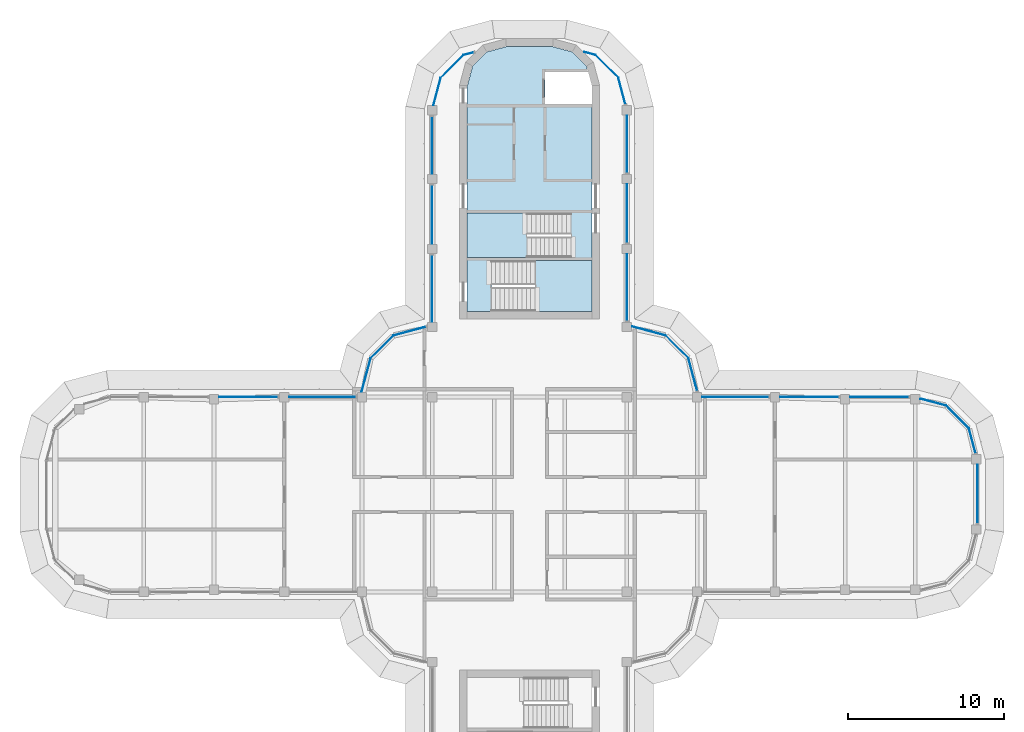
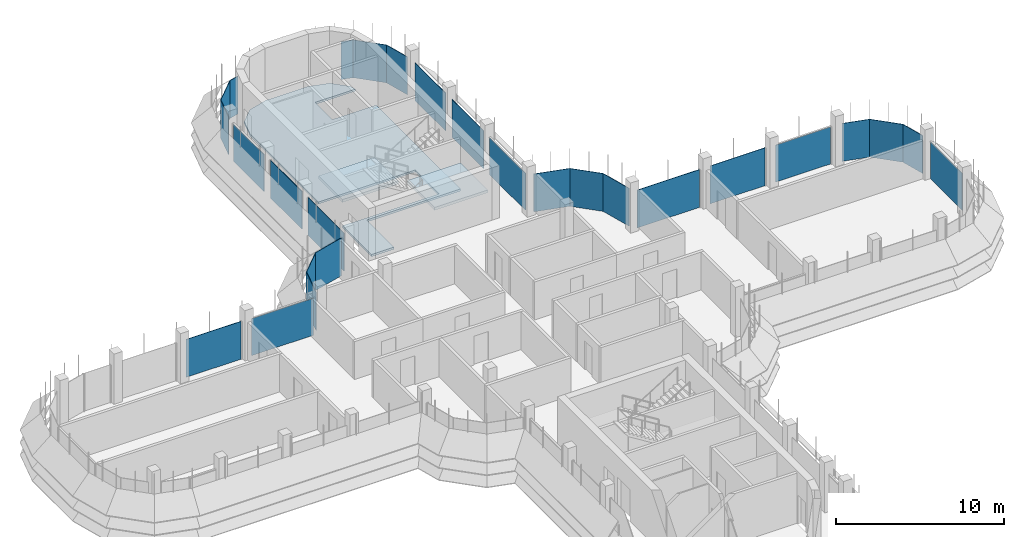
# One storey, part 12 of 19: 27 plates, 3 slabs, 22 elements without a shape of their own.
"""IFC4 building model written with IfcOpenShell, lengths in metres."""

from ifc_helpers import new_model, si_unit, direction, frame, origin, place, context, subcontext, project, spatial, polyline, outline, extrude, source, transform, mapped, material, layer, layer_set, type_object, element, aggregate, save


model = new_model("IFC4")

# Units and contexts
model_context = context("Model", 3, precision=1e-05, world=origin(), true_north=direction((0.0, 1.0)))
body_context = subcontext(model_context, "Body", "Model", "MODEL_VIEW")
ifc_project = project(units=[si_unit("LENGTHUNIT", "METRE"), si_unit("AREAUNIT", "SQUARE_METRE"), si_unit("VOLUMEUNIT", "CUBIC_METRE"), si_unit("PLANEANGLEUNIT", "RADIAN"), si_unit("MASSUNIT", "GRAM", prefix="KILO")], contexts=[model_context])

# Site, building, storey
site_placement = place(None, origin())
site = spatial("IfcSite", under=ifc_project, at=site_placement, CompositionType="ELEMENT")
building_placement = place(site_placement, origin())
building = spatial("IfcBuilding", under=site, at=building_placement, Name="Zarbagh Exchange Tower", CompositionType="ELEMENT")
storey_placement = place(building_placement, frame((0.0, 0.0, 268.800048828125)))
storey = spatial("IfcBuildingStorey", under=building, at=storey_placement, Name="L66", CompositionType="ELEMENT", Elevation=268.800048828125)

# Slab
ifc_material_1 = material(Name="Concrete C40/50", Category="concrete")
ifc_layer_1 = layer(ifc_material_1, 0.14990234375)
ifc_layer_set_1 = layer_set([ifc_layer_1], Name="Core floor slab 150 C40/50")
slab_type_1 = type_object("IfcSlabType", Name="Core floor slab 150 C40/50", PredefinedType="FLOOR", material=ifc_layer_set_1)
slab_1_placement = place(storey_placement, frame((0.0, 0.0, -0.150146484375)))
element("IfcSlab", 1, at=slab_1_placement, inside=storey, type_object=slab_type_1, Name="S17 core N", PredefinedType="FLOOR", context=body_context, shape_type="SweptSolid", body=[
    extrude(outline(polyline([(-4.0, 11.75), (-4.0, 15.199951171875), (2.64990234375, 15.199951171875), (2.64990234375, 18.050048828125), (-4.0, 18.050048828125), (-4.0, 26.18408203125), (-3.64990234375, 27.4912109375), (-2.7412109375, 28.39990234375), (-1.43408203125, 28.75), (1.43408203125, 28.75), (2.7412109375, 28.39990234375), (3.64990234375, 27.4912109375), (3.857666015625, 26.715087890625), (3.754638671875, 27.10009765625), (1.0, 27.10009765625), (1.0, 25.050048828125), (4.0, 25.050048828125), (4.0, 15.0), (-2.449951171875, 15.0), (-2.449951171875, 11.75), (-4.0, 11.75)])), origin(), (0.0, 0.0, 1.0), 0.150146484375),
])

# Stair, slab
stair_type = type_object("IfcStairType", Name="Exit stair two-flight half-turn", PredefinedType="HALF_TURN_STAIR", material=ifc_material_1)
stair_1_placement = place(storey_placement, origin())
stair_1 = element("IfcStair", 2, at=stair_1_placement, inside=storey, type_object=stair_type, Name="exit stair ST1", PredefinedType="HALF_TURN_STAIR")
ifc_layer_2 = layer(ifc_material_1, 0.199951171875)
ifc_layer_set_2 = layer_set([ifc_layer_2], Name="Stair landing 200 mm")
slab_type_2 = type_object("IfcSlabType", Name="Stair landing 200 mm", PredefinedType="LANDING", material=ifc_layer_set_2)
slab_2_placement = place(storey_placement, frame((0.0, 0.0, 1.699951171875)))
slab_2 = element("IfcSlab", 3, at=slab_2_placement, type_object=slab_type_2, Name="ST1 landing 1", PredefinedType="LANDING", context=body_context, shape_type="SweptSolid", body=[
    extrude(outline(polyline([(-0.14990234375, 18.050048828125), (-4.0, 18.050048828125), (-4.0, 15.199951171875), (-0.14990234375, 15.199951171875), (-0.14990234375, 18.050048828125)])), origin(), (0.0, 0.0, 1.0), 0.199951171875),
])
aggregate(stair_1, [slab_2])

stair_2_placement = place(storey_placement, origin())
stair_2 = element("IfcStair", 4, at=stair_2_placement, inside=storey, type_object=stair_type, Name="exit stair ST2", PredefinedType="HALF_TURN_STAIR")
slab_3_placement = place(storey_placement, frame((0.0, 0.0, 1.699951171875)))
slab_3 = element("IfcSlab", 5, at=slab_3_placement, type_object=slab_type_2, Name="ST2 landing 1", PredefinedType="LANDING", context=body_context, shape_type="SweptSolid", body=[
    extrude(outline(polyline([(0.35009765625, 11.75), (4.0, 11.75), (4.0, 15.0), (0.35009765625, 15.0), (0.35009765625, 11.75)])), origin(), (0.0, 0.0, 1.0), 0.199951171875),
])
aggregate(stair_2, [slab_3])

# Curtain wall, plate
ifc_material_2 = material(Name="Anodised aluminium frame and glazing", Category="aluminium")
curtain_wall_type = type_object("IfcCurtainWallType", Name="CWB Ribbon glazing, upper zones", PredefinedType="NOTDEFINED", material=ifc_material_2)
curtain_wall_1_placement = place(storey_placement, origin())
curtain_wall_1 = element("IfcCurtainWall", 6, at=curtain_wall_1_placement, inside=storey, type_object=curtain_wall_type, Name="CWB80 curtain wall", PredefinedType="NOTDEFINED")
ifc_material_3 = material(Name="Low-e double glazed unit, 6+12+6 mm")
ifc_layer_3 = layer(ifc_material_3, 0.031982421875)
ifc_layer_set_3 = layer_set([ifc_layer_3], Name="PAB Glazing panel, Low-e double glazed unit, 6+12+6 mm")
plate_type = type_object("IfcPlateType", Name="PAB Glazing panel, Low-e double glazed unit, 6+12+6 mm", PredefinedType="CURTAIN_PANEL", material=ifc_layer_set_3)
shared_shape_1 = source(origin(), body_context, "Body", "SweptSolid", [
    extrude(outline(polyline([(0.0, -0.01611328125), (2.061279296875, -0.01611328125), (2.061279296875, 0.01611328125), (0.0, 0.01611328125), (0.0, -0.01611328125)])), origin(), (0.0, 0.0, 1.0), 2.75),
])
placement = place(storey_placement, origin())
plate_1 = element("IfcPlate", 7, at=placement, type_object=plate_type, Name="CWB80 glazing panel 1.1", PredefinedType="CURTAIN_PANEL", context=body_context, shape_type="MappedRepresentation", body=[
    mapped(shared_shape_1, transform((28.19873046875, 4.2412109375, 0.0), x_axis=(-0.707106781187, 0.707106781187, 0.0), y_axis=(-0.707106781187, -0.707106781187, 0.0), z_axis=(0.0, 0.0, 1.0))),
])
aggregate(curtain_wall_1, [plate_1])

curtain_wall_2_placement = place(storey_placement, origin())
curtain_wall_2 = element("IfcCurtainWall", 8, at=curtain_wall_2_placement, inside=storey, type_object=curtain_wall_type, Name="CWB18 curtain wall", PredefinedType="NOTDEFINED")
plate_2 = element("IfcPlate", 9, at=placement, type_object=plate_type, Name="CWB18 glazing panel 1.1", PredefinedType="CURTAIN_PANEL", context=body_context, shape_type="MappedRepresentation", body=[
    mapped(shared_shape_1, transform((10.19873046875, 8.7412109375, 0.0), x_axis=(-0.707106781187, 0.707106781187, 0.0), y_axis=(-0.707106781187, -0.707106781187, 0.0), z_axis=(0.0, 0.0, 1.0))),
])
aggregate(curtain_wall_2, [plate_2])

curtain_wall_3_placement = place(storey_placement, origin())
curtain_wall_3 = element("IfcCurtainWall", 10, at=curtain_wall_3_placement, inside=storey, type_object=curtain_wall_type, Name="CWB74 curtain wall", PredefinedType="NOTDEFINED")
plate_3 = element("IfcPlate", 11, at=placement, type_object=plate_type, Name="CWB74 glazing panel 1.1", PredefinedType="CURTAIN_PANEL", context=body_context, shape_type="MappedRepresentation", body=[
    mapped(shared_shape_1, transform((5.69873046875, 26.7412109375, 0.0), x_axis=(-0.707106781187, 0.707106781187, 0.0), y_axis=(-0.707106781187, -0.707106781187, 0.0), z_axis=(0.0, 0.0, 1.0))),
])
aggregate(curtain_wall_3, [plate_3])

curtain_wall_4_placement = place(storey_placement, origin())
curtain_wall_4 = element("IfcCurtainWall", 12, at=curtain_wall_4_placement, inside=storey, type_object=curtain_wall_type, Name="CWB71 curtain wall", PredefinedType="NOTDEFINED")
plate_4 = element("IfcPlate", 13, at=placement, type_object=plate_type, Name="CWB71 glazing panel 1.1", PredefinedType="CURTAIN_PANEL", context=body_context, shape_type="MappedRepresentation", body=[
    mapped(shared_shape_1, transform((-4.2412109375, 28.19873046875, 0.0), x_axis=(-0.707106781187, -0.707106781187, 0.0), y_axis=(0.707106781187, -0.707106781187, 0.0), z_axis=(0.0, 0.0, 1.0))),
])
aggregate(curtain_wall_4, [plate_4])

curtain_wall_5_placement = place(storey_placement, origin())
curtain_wall_5 = element("IfcCurtainWall", 14, at=curtain_wall_5_placement, inside=storey, type_object=curtain_wall_type, Name="CWB30 curtain wall", PredefinedType="NOTDEFINED")
plate_5 = element("IfcPlate", 15, at=placement, type_object=plate_type, Name="CWB30 glazing panel 1.1", PredefinedType="CURTAIN_PANEL", context=body_context, shape_type="MappedRepresentation", body=[
    mapped(shared_shape_1, transform((-8.7412109375, 10.19873046875, 0.0), x_axis=(-0.707106781187, -0.707106781187, 0.0), y_axis=(0.707106781187, -0.707106781187, 0.0), z_axis=(0.0, 0.0, 1.0))),
])
aggregate(curtain_wall_5, [plate_5])

curtain_wall_6_placement = place(storey_placement, origin())
curtain_wall_6 = element("IfcCurtainWall", 16, at=curtain_wall_6_placement, inside=storey, type_object=curtain_wall_type, Name="CWB81 curtain wall", PredefinedType="NOTDEFINED")
shared_shape_2 = source(origin(), body_context, "Body", "SweptSolid", [
    extrude(outline(polyline([(0.0, -0.01611328125), (1.70947265625, -0.01611328125), (1.70947265625, 0.01611328125), (0.0, 0.01611328125), (0.0, -0.01611328125)])), origin(), (0.0, 0.0, 1.0), 2.75),
])
plate_6 = element("IfcPlate", 17, at=placement, type_object=plate_type, Name="CWB81 glazing panel 1.1", PredefinedType="CURTAIN_PANEL", context=body_context, shape_type="MappedRepresentation", body=[
    mapped(shared_shape_2, transform((26.7412109375, 5.69873046875, 0.0), x_axis=(-0.965924289636, 0.258824779902, 0.0), y_axis=(-0.258824779902, -0.965924289636, 0.0), z_axis=(0.0, 0.0, 1.0))),
])
aggregate(curtain_wall_6, [plate_6])

curtain_wall_7_placement = place(storey_placement, origin())
curtain_wall_7 = element("IfcCurtainWall", 18, at=curtain_wall_7_placement, inside=storey, type_object=curtain_wall_type, Name="CWB79 curtain wall", PredefinedType="NOTDEFINED")
shared_shape_3 = source(origin(), body_context, "Body", "SweptSolid", [
    extrude(outline(polyline([(0.0, -0.01611328125), (1.6494140625, -0.01611328125), (1.6494140625, 0.01611328125), (0.0, 0.01611328125), (0.0, -0.01611328125)])), origin(), (0.0, 0.0, 1.0), 2.75),
])
plate_7 = element("IfcPlate", 19, at=placement, type_object=plate_type, Name="CWB79 glazing panel 1.1", PredefinedType="CURTAIN_PANEL", context=body_context, shape_type="MappedRepresentation", body=[
    mapped(shared_shape_3, transform((28.625732421875, 2.64794921875, 0.0), x_axis=(-0.258824779902, 0.965924289636, 0.0), y_axis=(-0.965924289636, -0.258824779902, 0.0), z_axis=(0.0, 0.0, 1.0))),
])
aggregate(curtain_wall_7, [plate_7])

curtain_wall_8_placement = place(storey_placement, origin())
curtain_wall_8 = element("IfcCurtainWall", 20, at=curtain_wall_8_placement, inside=storey, type_object=curtain_wall_type, Name="CWB67 curtain wall", PredefinedType="NOTDEFINED")
shared_shape_4 = source(origin(), body_context, "Body", "SweptSolid", [
    extrude(outline(polyline([(0.0, -0.01611328125), (3.659912109375, -0.01611328125), (3.659912109375, 0.01611328125), (0.0, 0.01611328125), (0.0, -0.01611328125)])), origin(), (0.0, 0.0, 1.0), 2.75),
])
plate_8 = element("IfcPlate", 21, at=placement, type_object=plate_type, Name="CWB67 glazing panel 3.1", PredefinedType="CURTAIN_PANEL", context=body_context, shape_type="MappedRepresentation", body=[
    mapped(shared_shape_4, transform((6.25, 20.650146484375, 0.0), x_axis=(0.0, 1.0, 0.0), y_axis=(-1.0, 0.0, 0.0), z_axis=(0.0, 0.0, 1.0))),
])

curtain_wall_9_placement = place(storey_placement, origin())
curtain_wall_9 = element("IfcCurtainWall", 22, at=curtain_wall_9_placement, inside=storey, type_object=curtain_wall_type, Name="CWB69 curtain wall", PredefinedType="NOTDEFINED")
shared_shape_5 = source(origin(), body_context, "Body", "SweptSolid", [
    extrude(outline(polyline([(0.0, -0.01611328125), (0.757080078125, -0.01611328125), (0.757080078125, 0.01611328125), (0.0, 0.01611328125), (0.0, -0.01611328125)])), origin(), (0.0, 0.0, 1.0), 2.75),
])
plate_9 = element("IfcPlate", 23, at=placement, type_object=plate_type, Name="CWB69 glazing panel 1.1", PredefinedType="CURTAIN_PANEL", context=body_context, shape_type="MappedRepresentation", body=[
    mapped(shared_shape_5, transform((4.2412109375, 28.19873046875, 0.0), x_axis=(-0.965924289636, 0.258824779902, 0.0), y_axis=(-0.258824779902, -0.965924289636, 0.0), z_axis=(0.0, 0.0, 1.0))),
])
aggregate(curtain_wall_9, [plate_9])

curtain_wall_10_placement = place(storey_placement, origin())
curtain_wall_10 = element("IfcCurtainWall", 24, at=curtain_wall_10_placement, inside=storey, type_object=curtain_wall_type, Name="CWB70 curtain wall", PredefinedType="NOTDEFINED")
shared_shape_6 = source(origin(), body_context, "Body", "SweptSolid", [
    extrude(outline(polyline([(0.0, -0.01611328125), (0.697021484375, -0.01611328125), (0.697021484375, 0.01611328125), (0.0, 0.01611328125), (0.0, -0.01611328125)])), origin(), (0.0, 0.0, 1.0), 2.75),
])
plate_10 = element("IfcPlate", 25, at=placement, type_object=plate_type, Name="CWB70 glazing panel 1.1", PredefinedType="CURTAIN_PANEL", context=body_context, shape_type="MappedRepresentation", body=[
    mapped(shared_shape_6, transform((-3.56787109375, 28.379150390625, 0.0), x_axis=(-0.965924289636, -0.258824779902, 0.0), y_axis=(0.258824779902, -0.965924289636, 0.0), z_axis=(0.0, 0.0, 1.0))),
])
aggregate(curtain_wall_10, [plate_10])

curtain_wall_11_placement = place(storey_placement, origin())
curtain_wall_11 = element("IfcCurtainWall", 26, at=curtain_wall_11_placement, inside=storey, type_object=curtain_wall_type, Name="CWB72 curtain wall", PredefinedType="NOTDEFINED")
shared_shape_7 = source(origin(), body_context, "Body", "SweptSolid", [
    extrude(outline(polyline([(0.0, -0.01611328125), (1.81298828125, -0.01611328125), (1.81298828125, 0.01611328125), (0.0, 0.01611328125), (0.0, -0.01611328125)])), origin(), (0.0, 0.0, 1.0), 2.75),
])
plate_11 = element("IfcPlate", 27, at=placement, type_object=plate_type, Name="CWB72 glazing panel 1.1", PredefinedType="CURTAIN_PANEL", context=body_context, shape_type="MappedRepresentation", body=[
    mapped(shared_shape_7, transform((-5.69873046875, 26.7412109375, 0.0), x_axis=(-0.258824779902, -0.965924289636, 0.0), y_axis=(0.965924289636, -0.258824779902, 0.0), z_axis=(0.0, 0.0, 1.0))),
])
aggregate(curtain_wall_11, [plate_11])

curtain_wall_12_placement = place(storey_placement, origin())
curtain_wall_12 = element("IfcCurtainWall", 28, at=curtain_wall_12_placement, inside=storey, type_object=curtain_wall_type, Name="CWB82 curtain wall", PredefinedType="NOTDEFINED")
shared_shape_8 = source(origin(), body_context, "Body", "SweptSolid", [
    extrude(outline(polyline([(0.0, -0.01611328125), (3.760009765625, -0.01611328125), (3.760009765625, 0.01611328125), (0.0, 0.01611328125), (0.0, -0.01611328125)])), origin(), (0.0, 0.0, 1.0), 2.75),
])
plate_12 = element("IfcPlate", 29, at=placement, type_object=plate_type, Name="CWB82 glazing panel 2.1", PredefinedType="CURTAIN_PANEL", context=body_context, shape_type="MappedRepresentation", body=[
    mapped(shared_shape_8, transform((19.849853515625, 6.25, 0.0), x_axis=(-1.0, 0.0, 0.0), y_axis=(0.0, -1.0, 0.0), z_axis=(0.0, 0.0, 1.0))),
])

# Plate
plate_13 = element("IfcPlate", 30, at=placement, type_object=plate_type, Name="CWB67 glazing panel 2.1", PredefinedType="CURTAIN_PANEL", context=body_context, shape_type="MappedRepresentation", body=[
    mapped(shared_shape_8, transform((6.25, 16.150146484375, 0.0), x_axis=(0.0, 1.0, 0.0), y_axis=(-1.0, 0.0, 0.0), z_axis=(0.0, 0.0, 1.0))),
])

# Curtain wall, plate
curtain_wall_13_placement = place(storey_placement, origin())
curtain_wall_13 = element("IfcCurtainWall", 31, at=curtain_wall_13_placement, inside=storey, type_object=curtain_wall_type, Name="CWB73 curtain wall", PredefinedType="NOTDEFINED")
plate_14 = element("IfcPlate", 32, at=placement, type_object=plate_type, Name="CWB73 glazing panel 2.1", PredefinedType="CURTAIN_PANEL", context=body_context, shape_type="MappedRepresentation", body=[
    mapped(shared_shape_8, transform((-6.25, 19.849853515625, 0.0), x_axis=(0.0, -1.0, 0.0), y_axis=(1.0, 0.0, 0.0), z_axis=(0.0, 0.0, 1.0))),
])

curtain_wall_14_placement = place(storey_placement, origin())
curtain_wall_14 = element("IfcCurtainWall", 33, at=curtain_wall_14_placement, inside=storey, type_object=curtain_wall_type, Name="CWB58 curtain wall", PredefinedType="NOTDEFINED")
plate_15 = element("IfcPlate", 34, at=placement, type_object=plate_type, Name="CWB58 glazing panel 2.1", PredefinedType="CURTAIN_PANEL", context=body_context, shape_type="MappedRepresentation", body=[
    mapped(shared_shape_8, transform((-16.150146484375, 6.25, 0.0), x_axis=(-1.0, 0.0, 0.0), y_axis=(0.0, -1.0, 0.0), z_axis=(0.0, 0.0, 1.0))),
])

# Plate
shared_shape_9 = source(origin(), body_context, "Body", "SweptSolid", [
    extrude(outline(polyline([(0.0, -0.01611328125), (4.260009765625, -0.01611328125), (4.260009765625, 0.01611328125), (0.0, 0.01611328125), (0.0, -0.01611328125)])), origin(), (0.0, 0.0, 1.0), 2.75),
])
plate_16 = element("IfcPlate", 35, at=placement, type_object=plate_type, Name="CWB82 glazing panel 3.1", PredefinedType="CURTAIN_PANEL", context=body_context, shape_type="MappedRepresentation", body=[
    mapped(shared_shape_9, transform((15.349853515625, 6.25, 0.0), x_axis=(-1.0, 0.0, 0.0), y_axis=(0.0, -1.0, 0.0), z_axis=(0.0, 0.0, 1.0))),
])

plate_17 = element("IfcPlate", 36, at=placement, type_object=plate_type, Name="CWB73 glazing panel 3.1", PredefinedType="CURTAIN_PANEL", context=body_context, shape_type="MappedRepresentation", body=[
    mapped(shared_shape_9, transform((-6.25, 15.349853515625, 0.0), x_axis=(0.0, -1.0, 0.0), y_axis=(1.0, 0.0, 0.0), z_axis=(0.0, 0.0, 1.0))),
])

# Curtain wall, plate
curtain_wall_15_placement = place(storey_placement, origin())
curtain_wall_15 = element("IfcCurtainWall", 37, at=curtain_wall_15_placement, inside=storey, type_object=curtain_wall_type, Name="CWB17 curtain wall", PredefinedType="NOTDEFINED")
shared_shape_10 = source(origin(), body_context, "Body", "SweptSolid", [
    extrude(outline(polyline([(0.0, -0.01611328125), (2.1669921875, -0.01611328125), (2.1669921875, 0.01611328125), (0.0, 0.01611328125), (0.0, -0.01611328125)])), origin(), (0.0, 0.0, 1.0), 2.75),
])
plate_18 = element("IfcPlate", 38, at=placement, type_object=plate_type, Name="CWB17 glazing panel 1.1", PredefinedType="CURTAIN_PANEL", context=body_context, shape_type="MappedRepresentation", body=[
    mapped(shared_shape_10, transform((10.759765625, 6.64794921875, 0.0), x_axis=(-0.258824779902, 0.965924289636, 0.0), y_axis=(-0.965924289636, -0.258824779902, 0.0), z_axis=(0.0, 0.0, 1.0))),
])
aggregate(curtain_wall_15, [plate_18])

curtain_wall_16_placement = place(storey_placement, origin())
curtain_wall_16 = element("IfcCurtainWall", 39, at=curtain_wall_16_placement, inside=storey, type_object=curtain_wall_type, Name="CWB29 curtain wall", PredefinedType="NOTDEFINED")
plate_19 = element("IfcPlate", 40, at=placement, type_object=plate_type, Name="CWB29 glazing panel 1.1", PredefinedType="CURTAIN_PANEL", context=body_context, shape_type="MappedRepresentation", body=[
    mapped(shared_shape_10, transform((-6.64794921875, 10.759765625, 0.0), x_axis=(-0.965924289636, -0.258824779902, 0.0), y_axis=(0.258824779902, -0.965924289636, 0.0), z_axis=(0.0, 0.0, 1.0))),
])
aggregate(curtain_wall_16, [plate_19])

curtain_wall_17_placement = place(storey_placement, origin())
curtain_wall_17 = element("IfcCurtainWall", 41, at=curtain_wall_17_placement, inside=storey, type_object=curtain_wall_type, Name="CWB19 curtain wall", PredefinedType="NOTDEFINED")
shared_shape_11 = source(origin(), body_context, "Body", "SweptSolid", [
    extrude(outline(polyline([(0.0, -0.01611328125), (2.22705078125, -0.01611328125), (2.22705078125, 0.01611328125), (0.0, 0.01611328125), (0.0, -0.01611328125)])), origin(), (0.0, 0.0, 1.0), 2.75),
])
plate_20 = element("IfcPlate", 42, at=placement, type_object=plate_type, Name="CWB19 glazing panel 1.1", PredefinedType="CURTAIN_PANEL", context=body_context, shape_type="MappedRepresentation", body=[
    mapped(shared_shape_11, transform((8.7412109375, 10.19873046875, 0.0), x_axis=(-0.965924289636, 0.258824779902, 0.0), y_axis=(-0.258824779902, -0.965924289636, 0.0), z_axis=(0.0, 0.0, 1.0))),
])
aggregate(curtain_wall_17, [plate_20])

curtain_wall_18_placement = place(storey_placement, origin())
curtain_wall_18 = element("IfcCurtainWall", 43, at=curtain_wall_18_placement, inside=storey, type_object=curtain_wall_type, Name="CWB31 curtain wall", PredefinedType="NOTDEFINED")
plate_21 = element("IfcPlate", 44, at=placement, type_object=plate_type, Name="CWB31 glazing panel 1.1", PredefinedType="CURTAIN_PANEL", context=body_context, shape_type="MappedRepresentation", body=[
    mapped(shared_shape_11, transform((-10.19873046875, 8.7412109375, 0.0), x_axis=(-0.258824779902, -0.965924289636, 0.0), y_axis=(0.965924289636, -0.258824779902, 0.0), z_axis=(0.0, 0.0, 1.0))),
])
aggregate(curtain_wall_18, [plate_21])

# Plate
shared_shape_12 = source(origin(), body_context, "Body", "SweptSolid", [
    extrude(outline(polyline([(0.0, -0.01611328125), (4.260009765625, -0.01611328125), (4.260009765625, 0.01611328125), (0.0, 0.01611328125), (0.0, -0.01611328125)])), origin(), (0.0, 0.0, 1.0), 2.68994140625),
])
plate_22 = element("IfcPlate", 45, at=placement, type_object=plate_type, Name="CWB67 glazing panel 1.1", PredefinedType="CURTAIN_PANEL", context=body_context, shape_type="MappedRepresentation", body=[
    mapped(shared_shape_12, transform((6.25, 11.150146484375, 0.0), x_axis=(0.0, 1.0, 0.0), y_axis=(-1.0, 0.0, 0.0), z_axis=(0.0, 0.0, 1.0))),
])

aggregate(curtain_wall_8, [plate_22, plate_13, plate_8])

plate_23 = element("IfcPlate", 46, at=placement, type_object=plate_type, Name="CWB58 glazing panel 1.1", PredefinedType="CURTAIN_PANEL", context=body_context, shape_type="MappedRepresentation", body=[
    mapped(shared_shape_12, transform((-11.150146484375, 6.25, 0.0), x_axis=(-1.0, 0.0, 0.0), y_axis=(0.0, -1.0, 0.0), z_axis=(0.0, 0.0, 1.0))),
])

aggregate(curtain_wall_14, [plate_23, plate_15])

# Curtain wall, plate
curtain_wall_19_placement = place(storey_placement, origin())
curtain_wall_19 = element("IfcCurtainWall", 47, at=curtain_wall_19_placement, inside=storey, type_object=curtain_wall_type, Name="CWB83 curtain wall", PredefinedType="NOTDEFINED")
shared_shape_13 = source(origin(), body_context, "Body", "SweptSolid", [
    extrude(outline(polyline([(0.0, -0.01611328125), (3.760009765625, -0.01611328125), (3.760009765625, 0.01611328125), (0.0, 0.01611328125), (0.0, -0.01611328125)])), origin(), (0.0, 0.0, 1.0), 2.68994140625),
])
plate_24 = element("IfcPlate", 48, at=placement, type_object=plate_type, Name="CWB83 glazing panel 1.1", PredefinedType="CURTAIN_PANEL", context=body_context, shape_type="MappedRepresentation", body=[
    mapped(shared_shape_13, transform((28.75, -1.849853515625, 0.0), x_axis=(0.0, 1.0, 0.0), y_axis=(-1.0, 0.0, 0.0), z_axis=(0.0, 0.0, 1.0))),
])
aggregate(curtain_wall_19, [plate_24])

# Plate
plate_25 = element("IfcPlate", 49, at=placement, type_object=plate_type, Name="CWB82 glazing panel 1.1", PredefinedType="CURTAIN_PANEL", context=body_context, shape_type="MappedRepresentation", body=[
    mapped(shared_shape_13, transform((24.349853515625, 6.25, 0.0), x_axis=(-1.0, 0.0, 0.0), y_axis=(0.0, -1.0, 0.0), z_axis=(0.0, 0.0, 1.0))),
])

aggregate(curtain_wall_12, [plate_25, plate_12, plate_16])

# Curtain wall, plate
curtain_wall_20_placement = place(storey_placement, origin())
curtain_wall_20 = element("IfcCurtainWall", 50, at=curtain_wall_20_placement, inside=storey, type_object=curtain_wall_type, Name="CWB68 curtain wall", PredefinedType="NOTDEFINED")
shared_shape_14 = source(origin(), body_context, "Body", "SweptSolid", [
    extrude(outline(polyline([(0.0, -0.01611328125), (1.7529296875, -0.01611328125), (1.7529296875, 0.01611328125), (0.0, 0.01611328125), (0.0, -0.01611328125)])), origin(), (0.0, 0.0, 1.0), 2.75),
])
plate_26 = element("IfcPlate", 51, at=placement, type_object=plate_type, Name="CWB68 glazing panel 1.1", PredefinedType="CURTAIN_PANEL", context=body_context, shape_type="MappedRepresentation", body=[
    mapped(shared_shape_14, transform((6.152587890625, 25.0478515625, 0.0), x_axis=(-0.258824779902, 0.965924289636, 0.0), y_axis=(-0.965924289636, -0.258824779902, 0.0), z_axis=(0.0, 0.0, 1.0))),
])
aggregate(curtain_wall_20, [plate_26])

# Plate
shared_shape_15 = source(origin(), body_context, "Body", "SweptSolid", [
    extrude(outline(polyline([(0.0, -0.01611328125), (3.659912109375, -0.01611328125), (3.659912109375, 0.01611328125), (0.0, 0.01611328125), (0.0, -0.01611328125)])), origin(), (0.0, 0.0, 1.0), 2.68994140625),
])
plate_27 = element("IfcPlate", 52, at=placement, type_object=plate_type, Name="CWB73 glazing panel 1.1", PredefinedType="CURTAIN_PANEL", context=body_context, shape_type="MappedRepresentation", body=[
    mapped(shared_shape_15, transform((-6.25, 24.25, 0.0), x_axis=(0.0, -1.0, 0.0), y_axis=(1.0, 0.0, 0.0), z_axis=(0.0, 0.0, 1.0))),
])

aggregate(curtain_wall_13, [plate_27, plate_14, plate_17])

save(model, "model.ifc")
